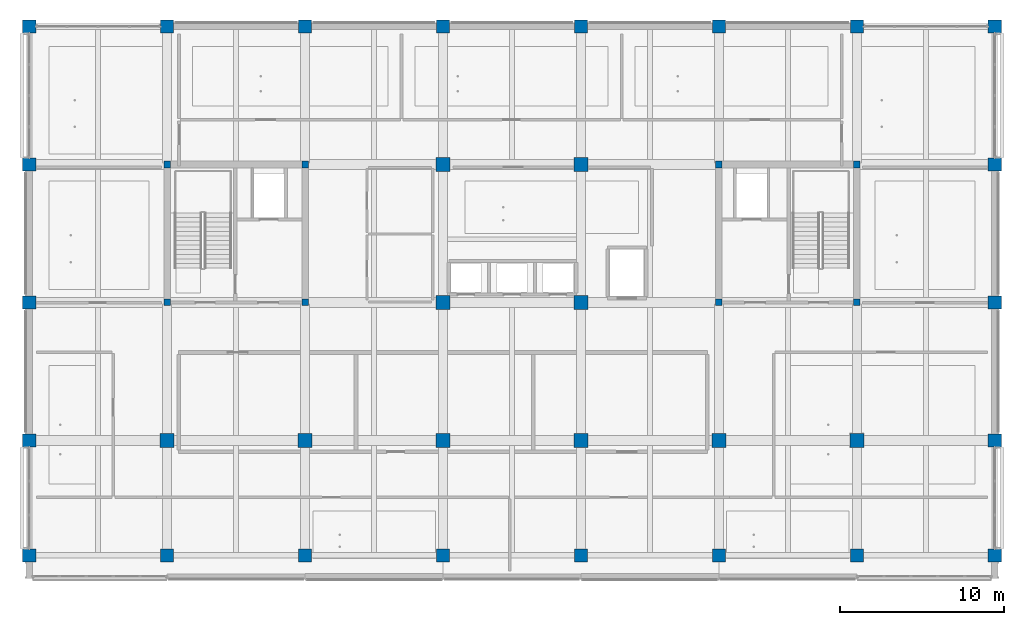
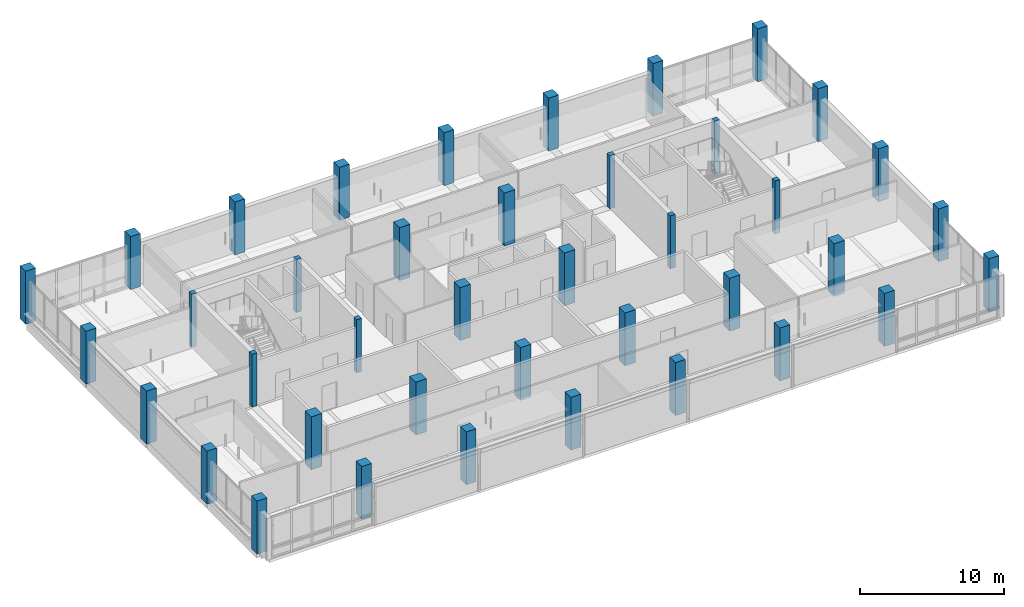
# One storey, part 1 of 35: 40 columns.
"""IFC4 building model written with IfcOpenShell, lengths in metres."""

from ifc_helpers import new_model, si_unit, direction, frame, origin, origin_2d, place, context, subcontext, project, spatial, rectangle, extrude, material, material_profile, profile_set, type_object, element, save


model = new_model("IFC4")

# Units and contexts
model_context = context("Model", 3, precision=1e-05, world=origin(), true_north=direction((0.0, 1.0)))
body_context = subcontext(model_context, "Body", "Model", "MODEL_VIEW")
ifc_project = project(units=[si_unit("LENGTHUNIT", "METRE"), si_unit("AREAUNIT", "SQUARE_METRE"), si_unit("VOLUMEUNIT", "CUBIC_METRE"), si_unit("PLANEANGLEUNIT", "RADIAN"), si_unit("MASSUNIT", "GRAM", prefix="KILO")], contexts=[model_context])

# Site, building, storey
site_placement = place(None, origin())
site = spatial("IfcSite", under=ifc_project, at=site_placement, CompositionType="ELEMENT")
building_placement = place(site_placement, origin())
building = spatial("IfcBuilding", under=site, at=building_placement, Name="Telukmera Botanical Conservatory", CompositionType="ELEMENT")
storey_placement = place(building_placement, frame((0.0, 0.0, 28.5)))
storey = spatial("IfcBuildingStorey", under=building, at=storey_placement, Name="L06", CompositionType="ELEMENT", Elevation=28.5)

# Columns
ifc_material = material(Name="Concrete C50/60", Category="concrete")
ifc_material_profile_1 = material_profile(ifc_material, rectangle(XDim=0.39990234375, YDim=0.39990234375, at=origin_2d()), Name="RC 400x400")
ifc_profile_set_1 = profile_set([ifc_material_profile_1], Name="Concrete C50/60")
column_type_1 = type_object("IfcColumnType", Name="Col_C14", PredefinedType="COLUMN", material=ifc_profile_set_1)
for number, where, z_axis, x_axis, name in (
    (1, (58.800048828125, 26.0, 0.0), (0.0, 0.0, 1.0), (1.0, 0.0, 0.0), "Column V4-L06 (58.8,26.0)"),
    (2, (58.800048828125, 34.39990234375, 0.0), (0.0, 0.0, 1.0), (1.0, 0.0, 0.0), "Column V4-L06 (58.8,34.4)"),
    (3, (67.199951171875, 26.0, 0.0), (0.0, 0.0, 1.0), (1.0, 0.0, 0.0), "Column V4-L06 (67.2,26.0)"),
    (4, (67.199951171875, 34.39990234375, 0.0), (0.0, 0.0, 1.0), (1.0, 0.0, 0.0), "Column V4-L06 (67.2,34.4)"),
    (5, (92.39990234375, 26.0, 0.0), (0.0, 0.0, 1.0), (1.0, 0.0, 0.0), "Column V4-L06 (92.4,26.0)"),
    (6, (92.39990234375, 34.39990234375, 0.0), (0.0, 0.0, 1.0), (1.0, 0.0, 0.0), "Column V4-L06 (92.4,34.4)"),
    (7, (100.800048828125, 26.0, 0.0), (0.0, 0.0, 1.0), (1.0, 0.0, 0.0), "Column V4-L06 (100.8,26.0)"),
    (8, (100.800048828125, 34.39990234375, 0.0), (0.0, 0.0, 1.0), (1.0, 0.0, 0.0), "Column V4-L06 (100.8,34.4)"),
):
    element("IfcColumn", number, at=place(storey_placement, frame(where, z_axis=z_axis, x_axis=x_axis)), inside=storey, type_object=column_type_1, Name=name, PredefinedType="COLUMN", context=body_context, shape_type="SweptSolid", body=[
        extrude(rectangle(XDim=0.39990234375, YDim=0.39990234375, at=origin_2d()), origin(), (0.0, 0.0, 1.0), 4.5),
    ])
ifc_material_profile_2 = material_profile(ifc_material, rectangle(XDim=0.85009765625, YDim=0.85009765625, at=origin_2d()), Name="RC 850x850")
ifc_profile_set_2 = profile_set([ifc_material_profile_2], Name="Concrete C50/60")
column_type_2 = type_object("IfcColumnType", Name="Col_C6", PredefinedType="COLUMN", material=ifc_profile_set_2)
for number, where, z_axis, x_axis, name in (
    (9, (58.800048828125, 17.60009765625, 0.0), (0.0, 0.0, 1.0), (1.0, 0.0, 0.0), "Column V4-L06 (58.8,17.6)"),
    (10, (67.199951171875, 17.60009765625, 0.0), (0.0, 0.0, 1.0), (1.0, 0.0, 0.0), "Column V4-L06 (67.2,17.6)"),
    (11, (75.60009765625, 17.60009765625, 0.0), (0.0, 0.0, 1.0), (1.0, 0.0, 0.0), "Column V4-L06 (75.6,17.6)"),
    (12, (75.60009765625, 26.0, 0.0), (0.0, 0.0, 1.0), (1.0, 0.0, 0.0), "Column V4-L06 (75.6,26.0)"),
    (13, (75.60009765625, 34.39990234375, 0.0), (0.0, 0.0, 1.0), (1.0, 0.0, 0.0), "Column V4-L06 (75.6,34.4)"),
    (14, (84.0, 17.60009765625, 0.0), (0.0, 0.0, 1.0), (1.0, 0.0, 0.0), "Column V4-L06 (84.0,17.6)"),
    (15, (84.0, 26.0, 0.0), (0.0, 0.0, 1.0), (1.0, 0.0, 0.0), "Column V4-L06 (84.0,26.0)"),
    (16, (84.0, 34.39990234375, 0.0), (0.0, 0.0, 1.0), (1.0, 0.0, 0.0), "Column V4-L06 (84.0,34.4)"),
    (17, (92.39990234375, 17.60009765625, 0.0), (0.0, 0.0, 1.0), (1.0, 0.0, 0.0), "Column V4-L06 (92.4,17.6)"),
    (18, (100.800048828125, 17.60009765625, 0.0), (0.0, 0.0, 1.0), (1.0, 0.0, 0.0), "Column V4-L06 (100.8,17.6)"),
):
    element("IfcColumn", number, at=place(storey_placement, frame(where, z_axis=z_axis, x_axis=x_axis)), inside=storey, type_object=column_type_2, Name=name, PredefinedType="COLUMN", context=body_context, shape_type="SweptSolid", body=[
        extrude(rectangle(XDim=0.85009765625, YDim=0.85009765625, at=origin_2d()), origin(), (0.0, 0.0, 1.0), 4.5),
    ])
ifc_material_profile_3 = material_profile(ifc_material, rectangle(XDim=0.800048828125, YDim=0.800048828125, at=origin_2d()), Name="RC 800x800")
ifc_profile_set_3 = profile_set([ifc_material_profile_3], Name="Concrete C50/60")
column_type_3 = type_object("IfcColumnType", Name="Col_C7", PredefinedType="COLUMN", material=ifc_profile_set_3)
for number, where, z_axis, x_axis, name in (
    (19, (50.39990234375, 10.60009765625, 0.0), (0.0, 0.0, 1.0), (1.0, 0.0, 0.0), "Column V4-L06 (50.4,10.6)"),
    (20, (50.39990234375, 17.60009765625, 0.0), (0.0, 0.0, 1.0), (1.0, 0.0, 0.0), "Column V4-L06 (50.4,17.6)"),
    (21, (50.39990234375, 26.0, 0.0), (0.0, 0.0, 1.0), (1.0, 0.0, 0.0), "Column V4-L06 (50.4,26.0)"),
    (22, (50.39990234375, 34.39990234375, 0.0), (0.0, 0.0, 1.0), (1.0, 0.0, 0.0), "Column V4-L06 (50.4,34.4)"),
    (23, (50.39990234375, 42.800048828125, 0.0), (0.0, 0.0, 1.0), (1.0, 0.0, 0.0), "Column V4-L06 (50.4,42.8)"),
    (24, (58.800048828125, 10.60009765625, 0.0), (0.0, 0.0, 1.0), (1.0, 0.0, 0.0), "Column V4-L06 (58.8,10.6)"),
    (25, (58.800048828125, 42.800048828125, 0.0), (0.0, 0.0, 1.0), (1.0, 0.0, 0.0), "Column V4-L06 (58.8,42.8)"),
    (26, (67.199951171875, 10.60009765625, 0.0), (0.0, 0.0, 1.0), (1.0, 0.0, 0.0), "Column V4-L06 (67.2,10.6)"),
    (27, (67.199951171875, 42.800048828125, 0.0), (0.0, 0.0, 1.0), (1.0, 0.0, 0.0), "Column V4-L06 (67.2,42.8)"),
    (28, (75.60009765625, 10.60009765625, 0.0), (0.0, 0.0, 1.0), (1.0, 0.0, 0.0), "Column V4-L06 (75.6,10.6)"),
    (29, (75.60009765625, 42.800048828125, 0.0), (0.0, 0.0, 1.0), (1.0, 0.0, 0.0), "Column V4-L06 (75.6,42.8)"),
    (30, (84.0, 10.60009765625, 0.0), (0.0, 0.0, 1.0), (1.0, 0.0, 0.0), "Column V4-L06 (84.0,10.6)"),
    (31, (84.0, 42.800048828125, 0.0), (0.0, 0.0, 1.0), (1.0, 0.0, 0.0), "Column V4-L06 (84.0,42.8)"),
    (32, (92.39990234375, 10.60009765625, 0.0), (0.0, 0.0, 1.0), (1.0, 0.0, 0.0), "Column V4-L06 (92.4,10.6)"),
    (33, (92.39990234375, 42.800048828125, 0.0), (0.0, 0.0, 1.0), (1.0, 0.0, 0.0), "Column V4-L06 (92.4,42.8)"),
    (34, (100.800048828125, 10.60009765625, 0.0), (0.0, 0.0, 1.0), (1.0, 0.0, 0.0), "Column V4-L06 (100.8,10.6)"),
    (35, (100.800048828125, 42.800048828125, 0.0), (0.0, 0.0, 1.0), (1.0, 0.0, 0.0), "Column V4-L06 (100.8,42.8)"),
    (36, (109.199951171875, 10.60009765625, 0.0), (0.0, 0.0, 1.0), (1.0, 0.0, 0.0), "Column V4-L06 (109.2,10.6)"),
    (37, (109.199951171875, 17.60009765625, 0.0), (0.0, 0.0, 1.0), (1.0, 0.0, 0.0), "Column V4-L06 (109.2,17.6)"),
    (38, (109.199951171875, 26.0, 0.0), (0.0, 0.0, 1.0), (1.0, 0.0, 0.0), "Column V4-L06 (109.2,26.0)"),
    (39, (109.199951171875, 34.39990234375, 0.0), (0.0, 0.0, 1.0), (1.0, 0.0, 0.0), "Column V4-L06 (109.2,34.4)"),
    (40, (109.199951171875, 42.800048828125, 0.0), (0.0, 0.0, 1.0), (1.0, 0.0, 0.0), "Column V4-L06 (109.2,42.8)"),
):
    element("IfcColumn", number, at=place(storey_placement, frame(where, z_axis=z_axis, x_axis=x_axis)), inside=storey, type_object=column_type_3, Name=name, PredefinedType="COLUMN", context=body_context, shape_type="SweptSolid", body=[
        extrude(rectangle(XDim=0.800048828125, YDim=0.800048828125, at=origin_2d()), origin(), (0.0, 0.0, 1.0), 4.5),
    ])

save(model, "model.ifc")
